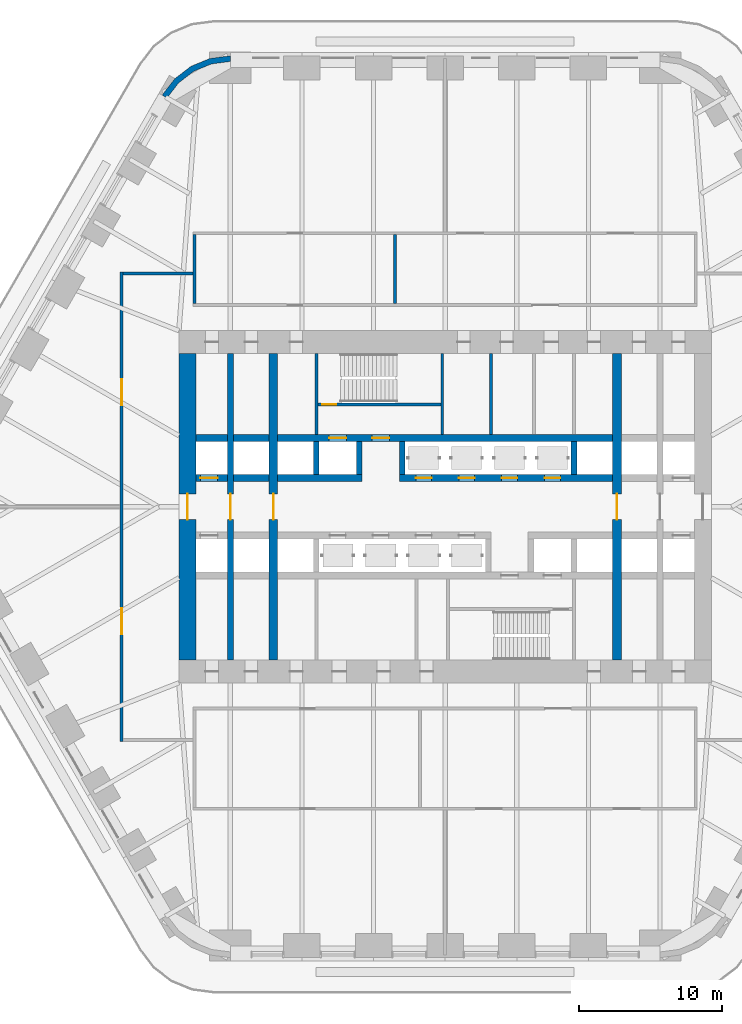
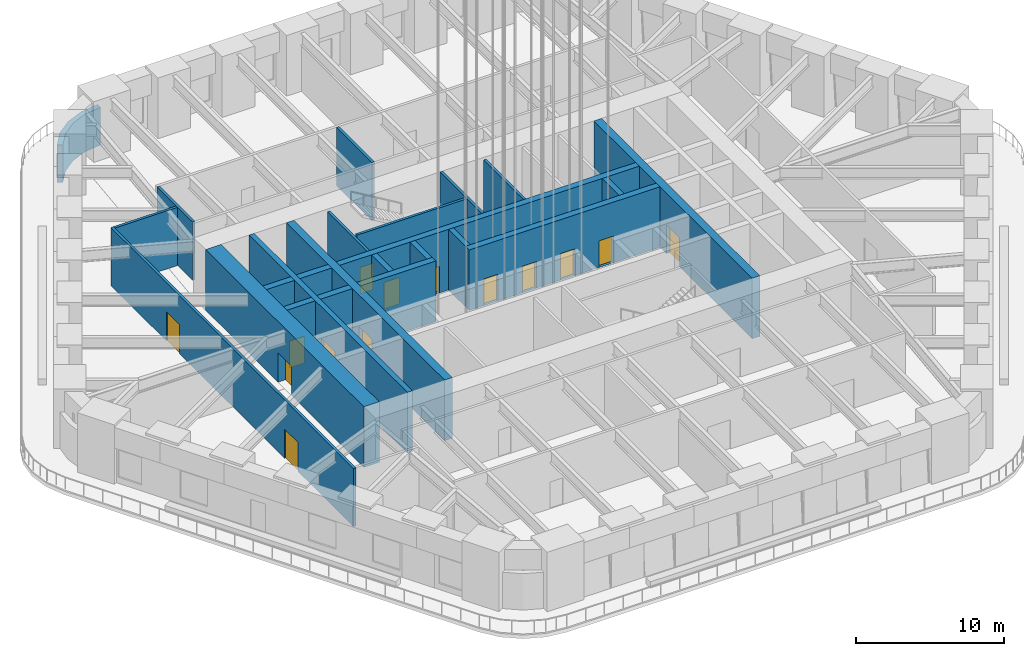
# One storey, part 9 of 15: 24 walls, 14 doors, 14 openings.
"""IFC4 building model written with IfcOpenShell, lengths in metres."""

import ifcopenshell
import ifcopenshell.guid

model = None  # the IFC model being written
_history = None  # IfcOwnerHistory: only IFC2X3 demands one
_inside = {}  # id of a spatial element -> (the spatial element, [elements in it])
_under = {}  # id of a project, library or spatial element -> (it, [spatial elements below it])
_declared = {}  # id of a project -> (the project, [libraries it declares])
_typed = {}  # id of a type object -> (the type object, [elements of that type])
_made_of = {}  # id of a material, layer set ... -> (it, [elements and type objects made of it])


def new_model(schema):
    """Start an empty IFC model of exactly this schema.

    Asked for "IFC4X3", IfcOpenShell would pick the latest addendum, in which some entities
    have other attributes; the version numbers below select the first issue.
    IFC2X3 requires an IfcOwnerHistory on every rooted entity: one is made here for all.
    """
    global model, _history
    if schema == "IFC4X3":
        model = ifcopenshell.file(schema_version=(4, 3, 0, 0))
    else:
        model = ifcopenshell.file(schema=schema)
    _inside.clear()
    _under.clear()
    _declared.clear()
    _typed.clear()
    _made_of.clear()
    _history = None
    if model.schema == "IFC2X3":
        org = make("IfcOrganization", Name="unknown")
        user = make(
            "IfcPersonAndOrganization",
            ThePerson=make("IfcPerson", FamilyName="unknown"),
            TheOrganization=org,
        )
        app = make(
            "IfcApplication",
            ApplicationDeveloper=org,
            Version="unknown",
            ApplicationFullName="unknown",
            ApplicationIdentifier="unknown",
        )
        _history = make(
            "IfcOwnerHistory",
            OwningUser=user,
            OwningApplication=app,
            ChangeAction="ADDED",
            CreationDate=0,
        )
    return model


def make(cls, **values):
    """One entity of the class cls with the attributes given. An attribute that is None is left unset."""
    return model.create_entity(
        cls, **{name: value for name, value in values.items() if value is not None}
    )


def rooted(cls, **values):
    """An entity with a GlobalId (a new one), such as an element, a storey or a relation."""
    return make(cls, GlobalId=ifcopenshell.guid.new(), OwnerHistory=_history, **values)


def si_unit(unit_type, name, prefix=None):
    """IfcSIUnit, for example si_unit("LENGTHUNIT", "METRE", prefix="MILLI")."""
    return make("IfcSIUnit", UnitType=unit_type, Prefix=prefix, Name=name)


def assignment(units):
    """IfcUnitAssignment: the units of a project."""
    return None if units is None else make("IfcUnitAssignment", Units=units)


def point(xyz):
    """IfcCartesianPoint."""
    return None if xyz is None else make("IfcCartesianPoint", Coordinates=xyz)


def direction(xyz):
    """IfcDirection."""
    return None if xyz is None else make("IfcDirection", DirectionRatios=xyz)


def frame(location, z_axis=None, x_axis=None):
    """IfcAxis2Placement3D, a coordinate frame: its origin and axes. An axis left out is left unset."""
    return make(
        "IfcAxis2Placement3D",
        Location=point(location),
        Axis=direction(z_axis),
        RefDirection=direction(x_axis),
    )


def frame_2d(location, x_axis=None):
    """IfcAxis2Placement2D, a coordinate frame in the plane: its origin and x axis."""
    return make(
        "IfcAxis2Placement2D", Location=point(location), RefDirection=direction(x_axis)
    )


def origin():
    """The frame at (0, 0, 0) with its axes left unset."""
    return frame((0.0, 0.0, 0.0))


def place(relative_to, where):
    """IfcLocalPlacement: puts the frame where relative to a parent placement (None: the world)."""
    return make(
        "IfcLocalPlacement", PlacementRelTo=relative_to, RelativePlacement=where
    )


def context(
    kind, dimensions, precision=None, world=None, true_north=None, identifier=None
):
    """IfcGeometricRepresentationContext, for example the 3D "Model" context."""
    return make(
        "IfcGeometricRepresentationContext",
        ContextIdentifier=identifier,
        ContextType=kind,
        CoordinateSpaceDimension=dimensions,
        Precision=precision,
        WorldCoordinateSystem=world,
        TrueNorth=true_north,
    )


def subcontext(parent, identifier, kind, view, scale=None):
    """IfcGeometricRepresentationSubContext, for example "Body" below "Model"."""
    return make(
        "IfcGeometricRepresentationSubContext",
        ContextIdentifier=identifier,
        ContextType=kind,
        ParentContext=parent,
        TargetScale=scale,
        TargetView=view,
    )


def project(units=None, contexts=None):
    """IfcProject with its units and contexts."""
    return rooted(
        "IfcProject",
        Name="project",
        RepresentationContexts=contexts,
        UnitsInContext=assignment(units),
    )


def spatial(cls, under=None, at=None, **own):
    """A site, building, storey or space (cls), placed at a placement, below another one or the project."""
    s = rooted(cls, ObjectPlacement=at, **own)
    if under is not None:
        _under.setdefault(under.id(), (under, []))[1].append(s)
    return s


def polyline(points):
    """IfcPolyline through the points."""
    return make("IfcPolyline", Points=[point(p) for p in points])


def profile(cls, at=None, kind="AREA", **sizes):
    """A parametric profile (cls). Its sizes go by their IFC names, for example OverallWidth=200.0."""
    return make(cls, ProfileType=kind, Position=at, **sizes)


def rectangle(**sizes):
    """IfcRectangleProfileDef."""
    return profile("IfcRectangleProfileDef", **sizes)


def outline(outer, holes=None, kind="AREA"):
    """IfcArbitraryClosedProfileDef: a profile drawn as a closed curve; with holes, ...WithVoids."""
    if holes is None:
        return make("IfcArbitraryClosedProfileDef", ProfileType=kind, OuterCurve=outer)
    return make(
        "IfcArbitraryProfileDefWithVoids",
        ProfileType=kind,
        OuterCurve=outer,
        InnerCurves=holes,
    )


def extrude(swept, where, along, depth):
    """IfcExtrudedAreaSolid: the profile swept, set in the frame where, extruded along a direction by depth."""
    return make(
        "IfcExtrudedAreaSolid",
        SweptArea=swept,
        Position=where,
        ExtrudedDirection=direction(along),
        Depth=depth,
    )


def shape(context_of_items, identifier, shape_type, items):
    """IfcShapeRepresentation: the items that make up one representation, for example the "Body"."""
    return make(
        "IfcShapeRepresentation",
        ContextOfItems=context_of_items,
        RepresentationIdentifier=identifier,
        RepresentationType=shape_type,
        Items=items,
    )


def material(Name=None, Category=None):
    """IfcMaterial."""
    return make("IfcMaterial", Name=Name, Category=Category)


def layer(
    of_material, thickness, ventilated=None, Name=None, Category=None, Priority=None
):
    """IfcMaterialLayer: one layer of a wall or slab, of a material (None: an air gap)."""
    return make(
        "IfcMaterialLayer",
        Material=of_material,
        LayerThickness=thickness,
        IsVentilated=ventilated,
        Name=Name,
        Category=Category,
        Priority=Priority,
    )


def layer_set(layers, Name=None):
    """IfcMaterialLayerSet."""
    return make("IfcMaterialLayerSet", MaterialLayers=layers, LayerSetName=Name)


def made_of(thing, what):
    """Note that an element or type object is made of a material, layer set ...; save() writes the relation."""
    if what is not None:
        _made_of.setdefault(what.id(), (what, []))[1].append(thing)
    return thing


def type_object(cls, material=None, **own):
    """A type object (cls), such as IfcWallType, which elements share."""
    return made_of(rooted(cls, **own), material)


def element(
    cls,
    number,
    at=None,
    inside=None,
    cuts=None,
    type_object=None,
    material=None,
    context=None,
    identifier="Body",
    shape_type=None,
    held_by="IfcProductDefinitionShape",
    body=None,
    shapes=None,
    **own,
):
    """One element of the class cls, such as IfcWall. Its Tag is "e" and its number.

    at: its placement. inside: the storey or other place that contains it. cuts: it is an
    opening in that element (IfcRelVoidsElement). A single representation is given by context,
    identifier, shape_type and body (its items); several are given by shapes. held_by: the class
    of the entity that holds the representations. save() writes the other relations.
    """
    e = rooted(cls, Tag="e%d" % number, ObjectPlacement=at, **own)
    if body is not None:
        shapes = [shape(context, identifier, shape_type, body)]
    if shapes is not None:
        e.Representation = make(held_by, Representations=shapes)
    if inside is not None:
        _inside.setdefault(inside.id(), (inside, []))[1].append(e)
    if cuts is not None:
        rooted(
            "IfcRelVoidsElement", RelatingBuildingElement=cuts, RelatedOpeningElement=e
        )
    if type_object is not None:
        _typed.setdefault(type_object.id(), (type_object, []))[1].append(e)
    return made_of(e, material)


def fill(opening, filler):
    """IfcRelFillsElement: the door or window that sits in an opening."""
    return rooted(
        "IfcRelFillsElement",
        RelatingOpeningElement=opening,
        RelatedBuildingElement=filler,
    )


def aggregate(whole, parts):
    """IfcRelAggregates: a whole, such as a stair, and the parts it consists of."""
    return rooted("IfcRelAggregates", RelatingObject=whole, RelatedObjects=parts)


def save(model, path):
    """Write the relations noted so far, then the file.

    IfcRelAggregates (storeys below a building ...), IfcRelContainedInSpatialStructure (elements
    in a storey), IfcRelDefinesByType, IfcRelAssociatesMaterial and IfcRelDeclares: one each for
    every whole, place, type object, material and project.
    """
    for whole, parts in _under.values():
        aggregate(whole, parts)
    for where, things in _inside.values():
        rooted(
            "IfcRelContainedInSpatialStructure",
            RelatedElements=things,
            RelatingStructure=where,
        )
    for kind, things in _typed.values():
        rooted("IfcRelDefinesByType", RelatedObjects=things, RelatingType=kind)
    for what, things in _made_of.values():
        rooted("IfcRelAssociatesMaterial", RelatedObjects=things, RelatingMaterial=what)
    for by, libraries in _declared.values():
        rooted("IfcRelDeclares", RelatingContext=by, RelatedDefinitions=libraries)
    model.write(path)


model = new_model("IFC4")

# Units and contexts
model_context = context("Model", 3, precision=1e-05, world=origin(), true_north=direction((0.0, 1.0)))
body_context = subcontext(model_context, "Body", "Model", "MODEL_VIEW")
ifc_project = project(units=[si_unit("LENGTHUNIT", "METRE"), si_unit("AREAUNIT", "SQUARE_METRE"), si_unit("VOLUMEUNIT", "CUBIC_METRE"), si_unit("PLANEANGLEUNIT", "RADIAN"), si_unit("MASSUNIT", "GRAM", prefix="KILO")], contexts=[model_context])

# Site, building, storey
site_placement = place(None, origin())
site = spatial("IfcSite", under=ifc_project, at=site_placement, CompositionType="ELEMENT")
building_placement = place(site_placement, origin())
building = spatial("IfcBuilding", under=site, at=building_placement, Name="Tarfa Lantern Tower", CompositionType="ELEMENT")
storey_placement = place(building_placement, frame((0.0, 0.0, 114.5)))
storey = spatial("IfcBuildingStorey", under=building, at=storey_placement, Name="L25", CompositionType="ELEMENT", Elevation=114.5)

# Walls
ifc_material_1 = material(Name="Limestone cladding on blockwork", Category="masonry")
ifc_layer_1 = layer(ifc_material_1, 0.39990234375)
ifc_layer_set_1 = layer_set([ifc_layer_1], Name="EW2 CURVED STONE CORNER 400")
wall_type_1 = type_object("IfcWallType", Name="EW2 CURVED STONE CORNER 400", PredefinedType="SOLIDWALL", material=ifc_layer_set_1)
wall_1_placement = place(storey_placement, origin())
element("IfcWall", 1, at=wall_1_placement, inside=storey, type_object=wall_type_1, Name="Stone corner N-NW", PredefinedType="SOLIDWALL", context=body_context, shape_type="SweptSolid", body=[
    extrude(outline(polyline([(-15.010986328125, 31.5), (-16.4345703125, 31.3125), (-17.760986328125, 30.76318359375), (-18.900146484375, 29.88916015625), (-19.774169921875, 28.75), (-19.427734375, 28.550048828125), (-18.617431640625, 29.606201171875), (-17.56103515625, 30.416748046875), (-16.3310546875, 30.92626953125), (-15.010986328125, 31.10009765625), (-15.010986328125, 31.5)])), origin(), (0.0, 0.0, 1.0), 3.10009765625),
])
ifc_material_2 = material(Name="Concrete blockwork", Category="masonry")
ifc_layer_2 = layer(ifc_material_2, 0.199951171875)
ifc_layer_set_2 = layer_set([ifc_layer_2], Name="IW1 BLOCKWORK PARTITION 200 EI 120")
wall_type_2 = type_object("IfcWallType", Name="IW1 BLOCKWORK PARTITION 200 EI 120", PredefinedType="PARTITIONING", material=ifc_layer_set_2)
for number, where, z_axis, x_axis, name in (
    (2, (-9.0, 5.050048828125, 0.0), (0.0, 0.0, 1.0), (0.0, 1.0, 0.0), "Core partition"),
    (3, (3.199951171875, 5.050048828125, 0.0), (0.0, 0.0, 1.0), (0.0, 1.0, 0.0), "Core partition"),
):
    element("IfcWall", number, at=place(storey_placement, frame(where, z_axis=z_axis, x_axis=x_axis)), inside=storey, type_object=wall_type_2, Name=name, PredefinedType="PARTITIONING", context=body_context, shape_type="SweptSolid", body=[
        extrude(rectangle(XDim=5.64990234375, YDim=0.199951171875, at=frame_2d((2.824951171875, 0.0))), origin(), (0.0, 0.0, 1.0), 4.800048828125),
    ])
ifc_material_3 = material(Name="Gypsum board on steel studs", Category="steel")
ifc_layer_3 = layer(ifc_material_3, 0.2099609375)
ifc_layer_set_3 = layer_set([ifc_layer_3], Name="IW2 ACOUSTIC PARTITION 200")
wall_type_3 = type_object("IfcWallType", Name="IW2 ACOUSTIC PARTITION 200", PredefinedType="PARTITIONING", material=ifc_layer_set_3)
for number, where, z_axis, x_axis, name in (
    (4, (-17.5, 14.199951171875, 0.0), (0.0, 0.0, 1.0), (0.0, 1.0, 0.0), "Partition"),
    (5, (-3.5, 14.199951171875, 0.0), (0.0, 0.0, 1.0), (0.0, 1.0, 0.0), "Partition"),
):
    element("IfcWall", number, at=place(storey_placement, frame(where, z_axis=z_axis, x_axis=x_axis)), inside=storey, type_object=wall_type_3, Name=name, PredefinedType="PARTITIONING", context=body_context, shape_type="SweptSolid", body=[
        extrude(rectangle(XDim=4.800048828125, YDim=0.199951171875, at=frame_2d((2.39990234375, 0.0))), origin(), (0.0, 0.0, 1.0), 4.800048828125),
    ])

# Wall, openings, doors
wall_2_placement = place(storey_placement, frame((-22.60009765625, -16.39990234375, 0.0), z_axis=(0.0, 0.0, 1.0), x_axis=(0.0, 1.0, 0.0)))
wall_2 = element("IfcWall", 6, at=wall_2_placement, inside=storey, type_object=wall_type_3, Name="Partition", PredefinedType="PARTITIONING", context=body_context, shape_type="SweptSolid", body=[
    extrude(rectangle(XDim=32.7998046875, YDim=0.199951171875, at=frame_2d((16.39990234375, 0.0))), origin(), (0.0, 0.0, 1.0), 4.800048828125),
])
opening_1_placement = place(wall_2_placement, frame((23.5, 0.0, 0.0)))
opening_1 = element("IfcOpeningElement", 7, at=opening_1_placement, cuts=wall_2, Name="Opening D40", PredefinedType="OPENING", context=body_context, shape_type="SweptSolid", body=[
    extrude(rectangle(XDim=1.800048828125, YDim=2.39990234375, at=frame_2d((0.89990234375, 1.199951171875))), frame((0.0, 0.10986328125, 0.0), z_axis=(0.0, -1.0, 0.0), x_axis=(1.0, 0.0, 0.0)), (0.0, 0.0, 1.0), 0.219970703125),
])
opening_2_placement = place(wall_2_placement, frame((7.5, 0.0, 0.0)))
opening_2 = element("IfcOpeningElement", 8, at=opening_2_placement, cuts=wall_2, Name="Opening D42", PredefinedType="OPENING", context=body_context, shape_type="SweptSolid", body=[
    extrude(rectangle(XDim=1.800048828125, YDim=2.39990234375, at=frame_2d((0.89990234375, 1.199951171875))), frame((0.0, 0.10986328125, 0.0), z_axis=(0.0, -1.0, 0.0), x_axis=(1.0, 0.0, 0.0)), (0.0, 0.0, 1.0), 0.219970703125),
])
ifc_material_4 = material(Name="Timber door", Category="wood")
door_type_1 = type_object("IfcDoorType", Name="DR2 ROOM DOOR 1800x2400", OperationType="DOUBLE_DOOR_SINGLE_SWING", PredefinedType="DOOR", material=ifc_material_4)
door_1_placement = place(opening_1_placement, origin())
door_1 = element("IfcDoor", 9, at=door_1_placement, inside=storey, type_object=door_type_1, Name="Visitor workplace door", OperationType="DOUBLE_DOOR_SINGLE_SWING", OverallHeight=2.39990234375, OverallWidth=1.800048828125, PredefinedType="DOOR", context=body_context, shape_type="SweptSolid", body=[
    extrude(rectangle(XDim=1.800048828125, YDim=2.39990234375, at=frame_2d((0.89990234375, 1.199951171875))), frame((0.0, 0.02490234375, 0.0), z_axis=(0.0, -1.0, 0.0), x_axis=(1.0, 0.0, 0.0)), (0.0, 0.0, 1.0), 0.050048828125),
])
fill(opening_1, door_1)
door_2_placement = place(opening_2_placement, origin())
door_2 = element("IfcDoor", 10, at=door_2_placement, inside=storey, type_object=door_type_1, Name="Touchdown workplace door", OperationType="DOUBLE_DOOR_SINGLE_SWING", OverallHeight=2.39990234375, OverallWidth=1.800048828125, PredefinedType="DOOR", context=body_context, shape_type="SweptSolid", body=[
    extrude(rectangle(XDim=1.800048828125, YDim=2.39990234375, at=frame_2d((0.89990234375, 1.199951171875))), frame((0.0, 0.02490234375, 0.0), z_axis=(0.0, -1.0, 0.0), x_axis=(1.0, 0.0, 0.0)), (0.0, 0.0, 1.0), 0.050048828125),
])
fill(opening_2, door_2)

# Wall
wall_3_placement = place(storey_placement, frame((-17.60009765625, 16.300048828125, 0.0), z_axis=(0.0, 0.0, 1.0), x_axis=(-1.0, 0.0, 0.0)))
element("IfcWall", 11, at=wall_3_placement, inside=storey, type_object=wall_type_3, Name="Partition", PredefinedType="PARTITIONING", context=body_context, shape_type="SweptSolid", body=[
    extrude(rectangle(XDim=4.89990234375, YDim=0.199951171875, at=frame_2d((2.449951171875, 0.0))), origin(), (0.0, 0.0, 1.0), 4.800048828125),
])

# Wall, opening, door
ifc_material_5 = material(Name="Concrete C80/95", Category="concrete")
ifc_layer_4 = layer(ifc_material_5, 1.199951171875)
ifc_layer_set_4 = layer_set([ifc_layer_4], Name="SW1 CORE WALL 1200")
wall_type_4 = type_object("IfcWallType", Name="SW1 CORE WALL 1200", PredefinedType="SHEAR", material=ifc_layer_set_4)
wall_4_placement = place(storey_placement, frame((-18.0, 10.699951171875, 0.0), z_axis=(0.0, 0.0, 1.0), x_axis=(0.0, -1.0, 0.0)))
wall_4 = element("IfcWall", 12, at=wall_4_placement, inside=storey, type_object=wall_type_4, Name="Core wall W", PredefinedType="SHEAR", context=body_context, shape_type="SweptSolid", body=[
    extrude(rectangle(XDim=21.39990234375, YDim=1.199951171875, at=frame_2d((10.699951171875, 0.0))), origin(), (0.0, 0.0, 1.0), 5.0),
])
opening_3_placement = place(wall_4_placement, frame((9.800048828125, 0.0, 0.0)))
opening_3 = element("IfcOpeningElement", 13, at=opening_3_placement, cuts=wall_4, Name="Opening D16", PredefinedType="OPENING", context=body_context, shape_type="SweptSolid", body=[
    extrude(rectangle(XDim=1.800048828125, YDim=2.39990234375, at=frame_2d((0.89990234375, 1.199951171875))), frame((0.0, 0.60986328125, 0.0), z_axis=(0.0, -1.0, 0.0), x_axis=(1.0, 0.0, 0.0)), (0.0, 0.0, 1.0), 1.219970703125),
])
ifc_material_6 = material(Name="Steel fire door", Category="steel")
door_type_2 = type_object("IfcDoorType", Name="DL1 LOBBY DOOR 1800x2400", OperationType="DOUBLE_DOOR_SINGLE_SWING", PredefinedType="DOOR", material=ifc_material_6)
door_3_placement = place(opening_3_placement, origin())
door_3 = element("IfcDoor", 14, at=door_3_placement, inside=storey, type_object=door_type_2, Name="Lift lobby door", OperationType="DOUBLE_DOOR_SINGLE_SWING", OverallHeight=2.39990234375, OverallWidth=1.800048828125, PredefinedType="DOOR", context=body_context, shape_type="SweptSolid", body=[
    extrude(rectangle(XDim=1.800048828125, YDim=2.39990234375, at=frame_2d((0.89990234375, 1.199951171875))), frame((0.0, 0.02490234375, 0.0), z_axis=(0.0, -1.0, 0.0), x_axis=(1.0, 0.0, 0.0)), (0.0, 0.0, 1.0), 0.050048828125),
])
fill(opening_3, door_3)

# Wall
ifc_layer_5 = layer(ifc_material_5, 0.199951171875)
ifc_layer_set_5 = layer_set([ifc_layer_5], Name="SW12 CORE WALL 200")
wall_type_5 = type_object("IfcWallType", Name="SW12 CORE WALL 200", PredefinedType="SHEAR", material=ifc_layer_set_5)
wall_5_placement = place(storey_placement, frame((-0.199951171875, 5.050048828125, 0.0), z_axis=(0.0, 0.0, 1.0), x_axis=(0.0, 1.0, 0.0)))
element("IfcWall", 15, at=wall_5_placement, inside=storey, type_object=wall_type_5, Name="Core wall stair shaft N", PredefinedType="SHEAR", context=body_context, shape_type="SweptSolid", body=[
    extrude(rectangle(XDim=5.64990234375, YDim=0.199951171875, at=frame_2d((2.824951171875, 0.0))), origin(), (0.0, 0.0, 1.0), 5.0),
])

# Wall, opening, door
wall_6_placement = place(storey_placement, frame((-8.89990234375, 7.14990234375, 0.0), z_axis=(0.0, 0.0, 1.0), x_axis=(1.0, 0.0, 0.0)))
wall_6 = element("IfcWall", 16, at=wall_6_placement, inside=storey, type_object=wall_type_5, Name="Core wall stair partition N", PredefinedType="SHEAR", context=body_context, shape_type="SweptSolid", body=[
    extrude(rectangle(XDim=8.599853515625, YDim=0.199951171875, at=frame_2d((4.2998046875, 0.0))), origin(), (0.0, 0.0, 1.0), 5.0),
])
opening_4_placement = place(wall_6_placement, frame((0.300048828125, 0.0, 0.0)))
opening_4 = element("IfcOpeningElement", 17, at=opening_4_placement, cuts=wall_6, Name="Opening D23", PredefinedType="OPENING", context=body_context, shape_type="SweptSolid", body=[
    extrude(rectangle(XDim=1.0, YDim=2.199951171875, at=frame_2d((0.5, 1.10009765625))), frame((0.0, 0.10986328125, 0.0), z_axis=(0.0, -1.0, 0.0), x_axis=(1.0, 0.0, 0.0)), (0.0, 0.0, 1.0), 0.219970703125),
])
door_type_3 = type_object("IfcDoorType", Name="DF2 STAIR DOOR 1000x2200", OperationType="SINGLE_SWING_LEFT", PredefinedType="DOOR", material=ifc_material_6)
door_4_placement = place(opening_4_placement, origin())
door_4 = element("IfcDoor", 18, at=door_4_placement, inside=storey, type_object=door_type_3, Name="Stair door", OperationType="SINGLE_SWING_RIGHT", OverallHeight=2.199951171875, OverallWidth=1.0, PredefinedType="DOOR", context=body_context, shape_type="SweptSolid", body=[
    extrude(rectangle(XDim=1.0, YDim=2.199951171875, at=frame_2d((0.5, 1.10009765625))), frame((0.0, 0.02490234375, 0.0), z_axis=(0.0, -1.0, 0.0), x_axis=(1.0, 0.0, 0.0)), (0.0, 0.0, 1.0), 0.050048828125),
])
fill(opening_4, door_4)

ifc_layer_6 = layer(ifc_material_5, 0.5)
ifc_layer_set_6 = layer_set([ifc_layer_6], Name="SW5 CORE WALL 500")
wall_type_6 = type_object("IfcWallType", Name="SW5 CORE WALL 500", PredefinedType="SHEAR", material=ifc_layer_set_6)
wall_7_placement = place(storey_placement, frame((-17.39990234375, 2.0, 0.0), z_axis=(0.0, 0.0, 1.0), x_axis=(1.0, 0.0, 0.0)))
wall_7 = element("IfcWall", 19, at=wall_7_placement, inside=storey, type_object=wall_type_6, Name="Core wall lobby west N", PredefinedType="SHEAR", context=body_context, shape_type="SweptSolid", body=[
    extrude(rectangle(XDim=2.199951171875, YDim=0.5, at=frame_2d((1.10009765625, 0.0))), origin(), (0.0, 0.0, 1.0), 5.0),
])
opening_5_placement = place(wall_7_placement, frame((0.300048828125, 0.0, 0.0)))
opening_5 = element("IfcOpeningElement", 20, at=opening_5_placement, cuts=wall_7, Name="Opening LD11", PredefinedType="OPENING", context=body_context, shape_type="SweptSolid", body=[
    extrude(rectangle(XDim=1.199951171875, YDim=2.199951171875, at=frame_2d((0.60009765625, 1.10009765625))), frame((0.0, 0.260009765625, 0.0), z_axis=(0.0, -1.0, 0.0), x_axis=(1.0, 0.0, 0.0)), (0.0, 0.0, 1.0), 0.52001953125),
])
ifc_material_7 = material(Name="Stainless steel lift door", Category="steel")
door_type_4 = type_object("IfcDoorType", Name="LD1 LIFT LANDING DOOR 1200x2200", OperationType="SLIDING_TO_LEFT", PredefinedType="DOOR", material=ifc_material_7)
door_5_placement = place(opening_5_placement, frame((1.199951171875, 0.0, 0.0), z_axis=(0.0, 0.0, 1.0), x_axis=(-1.0, 0.0, 0.0)))
door_5 = element("IfcDoor", 21, at=door_5_placement, inside=storey, type_object=door_type_4, Name="Landing door S1", OperationType="SLIDING_TO_LEFT", OverallHeight=2.199951171875, OverallWidth=1.199951171875, PredefinedType="DOOR", context=body_context, shape_type="SweptSolid", body=[
    extrude(rectangle(XDim=1.199951171875, YDim=2.199951171875, at=frame_2d((0.60009765625, 1.10009765625))), frame((0.0, 0.02490234375, 0.0), z_axis=(0.0, -1.0, 0.0), x_axis=(1.0, 0.0, 0.0)), (0.0, 0.0, 1.0), 0.050048828125),
])
fill(opening_5, door_5)

# Walls
wall_8_placement = place(storey_placement, frame((-14.800048828125, 2.0, 0.0), z_axis=(0.0, 0.0, 1.0), x_axis=(1.0, 0.0, 0.0)))
element("IfcWall", 22, at=wall_8_placement, inside=storey, type_object=wall_type_6, Name="Core wall lobby west N", PredefinedType="SHEAR", context=body_context, shape_type="SweptSolid", body=[
    extrude(rectangle(XDim=2.5, YDim=0.5, at=frame_2d((1.25, 0.0))), origin(), (0.0, 0.0, 1.0), 5.0),
])
wall_9_placement = place(storey_placement, frame((-11.699951171875, 2.0, 0.0), z_axis=(0.0, 0.0, 1.0), x_axis=(1.0, 0.0, 0.0)))
element("IfcWall", 23, at=wall_9_placement, inside=storey, type_object=wall_type_6, Name="Core wall lobby west N", PredefinedType="SHEAR", context=body_context, shape_type="SweptSolid", body=[
    extrude(rectangle(XDim=5.89990234375, YDim=0.5, at=frame_2d((2.949951171875, 0.0))), origin(), (0.0, 0.0, 1.0), 5.0),
])

# Wall, openings, doors
wall_10_placement = place(storey_placement, frame((-3.199951171875, 2.0, 0.0), z_axis=(0.0, 0.0, 1.0), x_axis=(1.0, 0.0, 0.0)))
wall_10 = element("IfcWall", 24, at=wall_10_placement, inside=storey, type_object=wall_type_6, Name="Core wall lobby east N", PredefinedType="SHEAR", context=body_context, shape_type="SweptSolid", body=[
    extrude(rectangle(XDim=14.89990234375, YDim=0.5, at=frame_2d((7.449951171875, 0.0))), origin(), (0.0, 0.0, 1.0), 5.0),
])
opening_6_placement = place(wall_10_placement, frame((1.14990234375, 0.0, 0.0)))
opening_6 = element("IfcOpeningElement", 25, at=opening_6_placement, cuts=wall_10, Name="Opening LD03", PredefinedType="OPENING", context=body_context, shape_type="SweptSolid", body=[
    extrude(rectangle(XDim=1.10009765625, YDim=2.199951171875, at=frame_2d((0.550048828125, 1.10009765625))), frame((0.0, 0.260009765625, 0.0), z_axis=(0.0, -1.0, 0.0), x_axis=(1.0, 0.0, 0.0)), (0.0, 0.0, 1.0), 0.52001953125),
])
opening_7_placement = place(wall_10_placement, frame((4.14990234375, 0.0, 0.0)))
opening_7 = element("IfcOpeningElement", 26, at=opening_7_placement, cuts=wall_10, Name="Opening LD04", PredefinedType="OPENING", context=body_context, shape_type="SweptSolid", body=[
    extrude(rectangle(XDim=1.10009765625, YDim=2.199951171875, at=frame_2d((0.550048828125, 1.10009765625))), frame((0.0, 0.260009765625, 0.0), z_axis=(0.0, -1.0, 0.0), x_axis=(1.0, 0.0, 0.0)), (0.0, 0.0, 1.0), 0.52001953125),
])
opening_8_placement = place(wall_10_placement, frame((7.14990234375, 0.0, 0.0)))
opening_8 = element("IfcOpeningElement", 27, at=opening_8_placement, cuts=wall_10, Name="Opening LD05", PredefinedType="OPENING", context=body_context, shape_type="SweptSolid", body=[
    extrude(rectangle(XDim=1.10009765625, YDim=2.199951171875, at=frame_2d((0.550048828125, 1.10009765625))), frame((0.0, 0.260009765625, 0.0), z_axis=(0.0, -1.0, 0.0), x_axis=(1.0, 0.0, 0.0)), (0.0, 0.0, 1.0), 0.52001953125),
])
opening_9_placement = place(wall_10_placement, frame((10.14990234375, 0.0, 0.0)))
opening_9 = element("IfcOpeningElement", 28, at=opening_9_placement, cuts=wall_10, Name="Opening LD06", PredefinedType="OPENING", context=body_context, shape_type="SweptSolid", body=[
    extrude(rectangle(XDim=1.10009765625, YDim=2.199951171875, at=frame_2d((0.550048828125, 1.10009765625))), frame((0.0, 0.260009765625, 0.0), z_axis=(0.0, -1.0, 0.0), x_axis=(1.0, 0.0, 0.0)), (0.0, 0.0, 1.0), 0.52001953125),
])
door_type_5 = type_object("IfcDoorType", Name="LD2 LIFT LANDING DOOR 1100x2200", OperationType="SLIDING_TO_LEFT", PredefinedType="DOOR", material=ifc_material_7)
door_6_placement = place(opening_6_placement, frame((1.10009765625, 0.0, 0.0), z_axis=(0.0, 0.0, 1.0), x_axis=(-1.0, 0.0, 0.0)))
door_6 = element("IfcDoor", 29, at=door_6_placement, inside=storey, type_object=door_type_5, Name="Landing door PB1", OperationType="SLIDING_TO_LEFT", OverallHeight=2.199951171875, OverallWidth=1.10009765625, PredefinedType="DOOR", context=body_context, shape_type="SweptSolid", body=[
    extrude(rectangle(XDim=1.10009765625, YDim=2.199951171875, at=frame_2d((0.550048828125, 1.10009765625))), frame((0.0, 0.02490234375, 0.0), z_axis=(0.0, -1.0, 0.0), x_axis=(1.0, 0.0, 0.0)), (0.0, 0.0, 1.0), 0.050048828125),
])
fill(opening_6, door_6)
door_7_placement = place(opening_7_placement, frame((1.10009765625, 0.0, 0.0), z_axis=(0.0, 0.0, 1.0), x_axis=(-1.0, 0.0, 0.0)))
door_7 = element("IfcDoor", 30, at=door_7_placement, inside=storey, type_object=door_type_5, Name="Landing door PB2", OperationType="SLIDING_TO_LEFT", OverallHeight=2.199951171875, OverallWidth=1.10009765625, PredefinedType="DOOR", context=body_context, shape_type="SweptSolid", body=[
    extrude(rectangle(XDim=1.10009765625, YDim=2.199951171875, at=frame_2d((0.550048828125, 1.10009765625))), frame((0.0, 0.02490234375, 0.0), z_axis=(0.0, -1.0, 0.0), x_axis=(1.0, 0.0, 0.0)), (0.0, 0.0, 1.0), 0.050048828125),
])
fill(opening_7, door_7)
door_8_placement = place(opening_8_placement, frame((1.10009765625, 0.0, 0.0), z_axis=(0.0, 0.0, 1.0), x_axis=(-1.0, 0.0, 0.0)))
door_8 = element("IfcDoor", 31, at=door_8_placement, inside=storey, type_object=door_type_5, Name="Landing door PB3", OperationType="SLIDING_TO_LEFT", OverallHeight=2.199951171875, OverallWidth=1.10009765625, PredefinedType="DOOR", context=body_context, shape_type="SweptSolid", body=[
    extrude(rectangle(XDim=1.10009765625, YDim=2.199951171875, at=frame_2d((0.550048828125, 1.10009765625))), frame((0.0, 0.02490234375, 0.0), z_axis=(0.0, -1.0, 0.0), x_axis=(1.0, 0.0, 0.0)), (0.0, 0.0, 1.0), 0.050048828125),
])
fill(opening_8, door_8)
door_9_placement = place(opening_9_placement, frame((1.10009765625, 0.0, 0.0), z_axis=(0.0, 0.0, 1.0), x_axis=(-1.0, 0.0, 0.0)))
door_9 = element("IfcDoor", 32, at=door_9_placement, inside=storey, type_object=door_type_5, Name="Landing door PB4", OperationType="SLIDING_TO_LEFT", OverallHeight=2.199951171875, OverallWidth=1.10009765625, PredefinedType="DOOR", context=body_context, shape_type="SweptSolid", body=[
    extrude(rectangle(XDim=1.10009765625, YDim=2.199951171875, at=frame_2d((0.550048828125, 1.10009765625))), frame((0.0, 0.02490234375, 0.0), z_axis=(0.0, -1.0, 0.0), x_axis=(1.0, 0.0, 0.0)), (0.0, 0.0, 1.0), 0.050048828125),
])
fill(opening_9, door_9)

# Walls
wall_11_placement = place(storey_placement, frame((-17.39990234375, 4.800048828125, 0.0), z_axis=(0.0, 0.0, 1.0), x_axis=(1.0, 0.0, 0.0)))
element("IfcWall", 33, at=wall_11_placement, inside=storey, type_object=wall_type_6, Name="Core wall rear N", PredefinedType="SHEAR", context=body_context, shape_type="SweptSolid", body=[
    extrude(rectangle(XDim=2.199951171875, YDim=0.5, at=frame_2d((1.10009765625, 0.0))), origin(), (0.0, 0.0, 1.0), 5.0),
])
wall_12_placement = place(storey_placement, frame((-14.800048828125, 4.800048828125, 0.0), z_axis=(0.0, 0.0, 1.0), x_axis=(1.0, 0.0, 0.0)))
element("IfcWall", 34, at=wall_12_placement, inside=storey, type_object=wall_type_6, Name="Core wall rear N", PredefinedType="SHEAR", context=body_context, shape_type="SweptSolid", body=[
    extrude(rectangle(XDim=2.5, YDim=0.5, at=frame_2d((1.25, 0.0))), origin(), (0.0, 0.0, 1.0), 5.0),
])

# Wall, openings, doors
wall_13_placement = place(storey_placement, frame((-11.699951171875, 4.800048828125, 0.0), z_axis=(0.0, 0.0, 1.0), x_axis=(1.0, 0.0, 0.0)))
wall_13 = element("IfcWall", 35, at=wall_13_placement, inside=storey, type_object=wall_type_6, Name="Core wall rear N", PredefinedType="SHEAR", context=body_context, shape_type="SweptSolid", body=[
    extrude(rectangle(XDim=23.39990234375, YDim=0.5, at=frame_2d((11.699951171875, 0.0))), origin(), (0.0, 0.0, 1.0), 5.0),
])
opening_10_placement = place(wall_13_placement, frame((6.60009765625, 0.0, 0.0)))
opening_10 = element("IfcOpeningElement", 36, at=opening_10_placement, cuts=wall_13, Name="Opening D13", PredefinedType="OPENING", context=body_context, shape_type="SweptSolid", body=[
    extrude(rectangle(XDim=1.199951171875, YDim=2.199951171875, at=frame_2d((0.60009765625, 1.10009765625))), frame((0.0, 0.260009765625, 0.0), z_axis=(0.0, -1.0, 0.0), x_axis=(1.0, 0.0, 0.0)), (0.0, 0.0, 1.0), 0.52001953125),
])
opening_11_placement = place(wall_13_placement, frame((3.60009765625, 0.0, 0.0)))
opening_11 = element("IfcOpeningElement", 37, at=opening_11_placement, cuts=wall_13, Name="Opening LD01", PredefinedType="OPENING", context=body_context, shape_type="SweptSolid", body=[
    extrude(rectangle(XDim=1.199951171875, YDim=2.199951171875, at=frame_2d((0.60009765625, 1.10009765625))), frame((0.0, 0.260009765625, 0.0), z_axis=(0.0, -1.0, 0.0), x_axis=(1.0, 0.0, 0.0)), (0.0, 0.0, 1.0), 0.52001953125),
])
door_type_6 = type_object("IfcDoorType", Name="DF1 FIREFIGHTING LOBBY DOOR 1200x2200", OperationType="SINGLE_SWING_LEFT", PredefinedType="DOOR", material=ifc_material_6)
door_10_placement = place(opening_10_placement, origin())
door_10 = element("IfcDoor", 38, at=door_10_placement, inside=storey, type_object=door_type_6, Name="Firefighting lobby door", OperationType="SINGLE_SWING_LEFT", OverallHeight=2.199951171875, OverallWidth=1.199951171875, PredefinedType="DOOR", context=body_context, shape_type="SweptSolid", body=[
    extrude(rectangle(XDim=1.199951171875, YDim=2.199951171875, at=frame_2d((0.60009765625, 1.10009765625))), frame((0.0, 0.02490234375, 0.0), z_axis=(0.0, -1.0, 0.0), x_axis=(1.0, 0.0, 0.0)), (0.0, 0.0, 1.0), 0.050048828125),
])
fill(opening_10, door_10)
door_11_placement = place(opening_11_placement, origin())
door_11 = element("IfcDoor", 39, at=door_11_placement, inside=storey, type_object=door_type_4, Name="Landing door FL1", OperationType="SLIDING_TO_LEFT", OverallHeight=2.199951171875, OverallWidth=1.199951171875, PredefinedType="DOOR", context=body_context, shape_type="SweptSolid", body=[
    extrude(rectangle(XDim=1.199951171875, YDim=2.199951171875, at=frame_2d((0.60009765625, 1.10009765625))), frame((0.0, 0.02490234375, 0.0), z_axis=(0.0, -1.0, 0.0), x_axis=(1.0, 0.0, 0.0)), (0.0, 0.0, 1.0), 0.050048828125),
])
fill(opening_11, door_11)

# Wall, opening, door
ifc_layer_7 = layer(ifc_material_5, 0.39990234375)
ifc_layer_set_7 = layer_set([ifc_layer_7], Name="SW6 CORE WALL 400")
wall_type_7 = type_object("IfcWallType", Name="SW6 CORE WALL 400", PredefinedType="SHEAR", material=ifc_layer_set_7)
wall_14_placement = place(storey_placement, frame((-15.0, -10.699951171875, 0.0), z_axis=(0.0, 0.0, 1.0), x_axis=(0.0, 1.0, 0.0)))
wall_14 = element("IfcWall", 40, at=wall_14_placement, inside=storey, type_object=wall_type_7, Name="Core wall cross 15 m west", PredefinedType="SHEAR", context=body_context, shape_type="SweptSolid", body=[
    extrude(rectangle(XDim=21.39990234375, YDim=0.39990234375, at=frame_2d((10.699951171875, 0.0))), origin(), (0.0, 0.0, 1.0), 5.0),
])
opening_12_placement = place(wall_14_placement, frame((9.800048828125, 0.0, 0.0)))
opening_12 = element("IfcOpeningElement", 41, at=opening_12_placement, cuts=wall_14, Name="Opening D28", PredefinedType="OPENING", context=body_context, shape_type="SweptSolid", body=[
    extrude(rectangle(XDim=1.800048828125, YDim=2.39990234375, at=frame_2d((0.89990234375, 1.199951171875))), frame((0.0, 0.2099609375, 0.0), z_axis=(0.0, -1.0, 0.0), x_axis=(1.0, 0.0, 0.0)), (0.0, 0.0, 1.0), 0.419921875),
])
door_12_placement = place(opening_12_placement, origin())
door_12 = element("IfcDoor", 42, at=door_12_placement, inside=storey, type_object=door_type_2, Name="Lift lobby door", OperationType="DOUBLE_DOOR_SINGLE_SWING", OverallHeight=2.39990234375, OverallWidth=1.800048828125, PredefinedType="DOOR", context=body_context, shape_type="SweptSolid", body=[
    extrude(rectangle(XDim=1.800048828125, YDim=2.39990234375, at=frame_2d((0.89990234375, 1.199951171875))), frame((0.0, 0.02490234375, 0.0), z_axis=(0.0, -1.0, 0.0), x_axis=(1.0, 0.0, 0.0)), (0.0, 0.0, 1.0), 0.050048828125),
])
fill(opening_12, door_12)

# Walls
for number, where, z_axis, x_axis, name in (
    (43, (-9.0, 2.25, 0.0), (0.0, 0.0, 1.0), (0.0, 1.0, 0.0), "Core wall divider N"),
    (44, (-6.0, 2.25, 0.0), (0.0, 0.0, 1.0), (0.0, 1.0, 0.0), "Core wall divider N"),
    (45, (-3.0, 2.25, 0.0), (0.0, 0.0, 1.0), (0.0, 1.0, 0.0), "Core wall divider N"),
    (46, (9.0, 2.25, 0.0), (0.0, 0.0, 1.0), (0.0, 1.0, 0.0), "Core wall divider N"),
):
    element("IfcWall", number, at=place(storey_placement, frame(where, z_axis=z_axis, x_axis=x_axis)), inside=storey, type_object=wall_type_7, Name=name, PredefinedType="SHEAR", context=body_context, shape_type="SweptSolid", body=[
        extrude(rectangle(XDim=2.300048828125, YDim=0.39990234375, at=frame_2d((1.14990234375, 0.0))), origin(), (0.0, 0.0, 1.0), 5.0),
    ])

# Wall, opening, door
ifc_layer_8 = layer(ifc_material_5, 0.60009765625)
ifc_layer_set_8 = layer_set([ifc_layer_8], Name="SW9 CORE WALL 600")
wall_type_8 = type_object("IfcWallType", Name="SW9 CORE WALL 600", PredefinedType="SHEAR", material=ifc_layer_set_8)
wall_15_placement = place(storey_placement, frame((12.0, -10.699951171875, 0.0), z_axis=(0.0, 0.0, 1.0), x_axis=(0.0, 1.0, 0.0)))
wall_15 = element("IfcWall", 47, at=wall_15_placement, inside=storey, type_object=wall_type_8, Name="Core wall cross 12 m east", PredefinedType="SHEAR", context=body_context, shape_type="SweptSolid", body=[
    extrude(rectangle(XDim=21.39990234375, YDim=0.60009765625, at=frame_2d((10.699951171875, 0.0))), origin(), (0.0, 0.0, 1.0), 5.0),
])
opening_13_placement = place(wall_15_placement, frame((9.800048828125, 0.0, 0.0)))
opening_13 = element("IfcOpeningElement", 48, at=opening_13_placement, cuts=wall_15, Name="Opening D25", PredefinedType="OPENING", context=body_context, shape_type="SweptSolid", body=[
    extrude(rectangle(XDim=1.800048828125, YDim=2.39990234375, at=frame_2d((0.89990234375, 1.199951171875))), frame((0.0, 0.31005859375, 0.0), z_axis=(0.0, -1.0, 0.0), x_axis=(1.0, 0.0, 0.0)), (0.0, 0.0, 1.0), 0.6201171875),
])
door_13_placement = place(opening_13_placement, origin())
door_13 = element("IfcDoor", 49, at=door_13_placement, inside=storey, type_object=door_type_2, Name="Lift lobby door", OperationType="DOUBLE_DOOR_SINGLE_SWING", OverallHeight=2.39990234375, OverallWidth=1.800048828125, PredefinedType="DOOR", context=body_context, shape_type="SweptSolid", body=[
    extrude(rectangle(XDim=1.800048828125, YDim=2.39990234375, at=frame_2d((0.89990234375, 1.199951171875))), frame((0.0, 0.02490234375, 0.0), z_axis=(0.0, -1.0, 0.0), x_axis=(1.0, 0.0, 0.0)), (0.0, 0.0, 1.0), 0.050048828125),
])
fill(opening_13, door_13)

wall_16_placement = place(storey_placement, frame((-12.0, -10.699951171875, 0.0), z_axis=(0.0, 0.0, 1.0), x_axis=(0.0, 1.0, 0.0)))
wall_16 = element("IfcWall", 50, at=wall_16_placement, inside=storey, type_object=wall_type_8, Name="Core wall cross 12 m west", PredefinedType="SHEAR", context=body_context, shape_type="SweptSolid", body=[
    extrude(rectangle(XDim=21.39990234375, YDim=0.60009765625, at=frame_2d((10.699951171875, 0.0))), origin(), (0.0, 0.0, 1.0), 5.0),
])
opening_14_placement = place(wall_16_placement, frame((9.800048828125, 0.0, 0.0)))
opening_14 = element("IfcOpeningElement", 51, at=opening_14_placement, cuts=wall_16, Name="Opening D27", PredefinedType="OPENING", context=body_context, shape_type="SweptSolid", body=[
    extrude(rectangle(XDim=1.800048828125, YDim=2.39990234375, at=frame_2d((0.89990234375, 1.199951171875))), frame((0.0, 0.31005859375, 0.0), z_axis=(0.0, -1.0, 0.0), x_axis=(1.0, 0.0, 0.0)), (0.0, 0.0, 1.0), 0.6201171875),
])
door_14_placement = place(opening_14_placement, origin())
door_14 = element("IfcDoor", 52, at=door_14_placement, inside=storey, type_object=door_type_2, Name="Lift lobby door", OperationType="DOUBLE_DOOR_SINGLE_SWING", OverallHeight=2.39990234375, OverallWidth=1.800048828125, PredefinedType="DOOR", context=body_context, shape_type="SweptSolid", body=[
    extrude(rectangle(XDim=1.800048828125, YDim=2.39990234375, at=frame_2d((0.89990234375, 1.199951171875))), frame((0.0, 0.02490234375, 0.0), z_axis=(0.0, -1.0, 0.0), x_axis=(1.0, 0.0, 0.0)), (0.0, 0.0, 1.0), 0.050048828125),
])
fill(opening_14, door_14)

save(model, "model.ifc")
